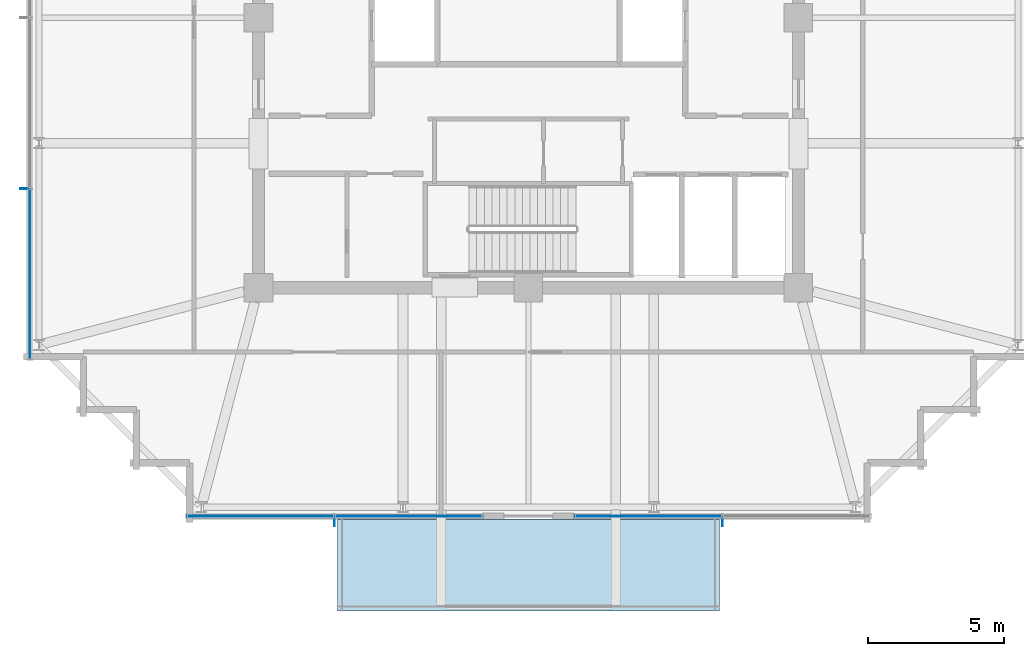
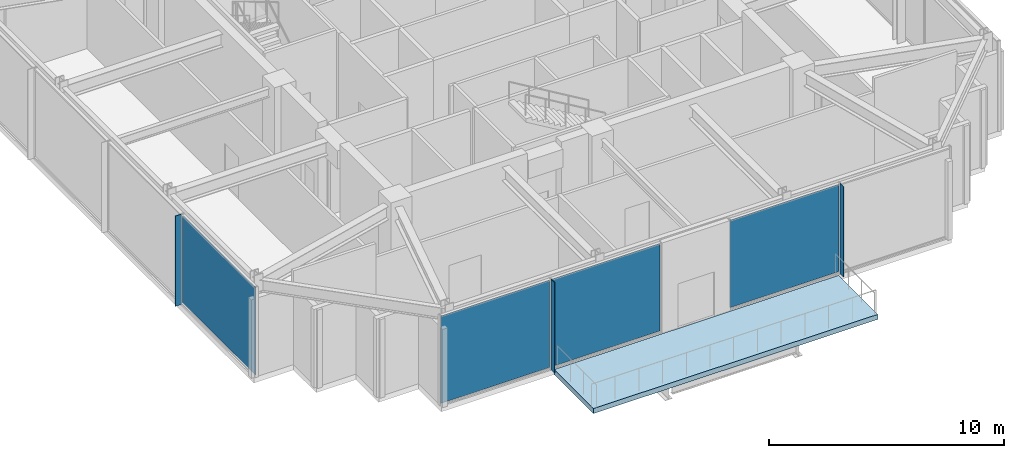
# One storey, part 21 of 31: 7 plates, 1 slab, 3 elements without a shape of their own.
"""IFC4 building model written with IfcOpenShell, lengths in metres."""

from ifc_helpers import new_model, si_unit, direction, frame, origin, origin_2d, place, context, subcontext, project, spatial, polyline, rectangle, outline, extrude, material, layer, layer_set, type_object, element, aggregate, save


model = new_model("IFC4")

# Units and contexts
model_context = context("Model", 3, precision=1e-05, world=origin(), true_north=direction((0.0, 1.0)))
body_context = subcontext(model_context, "Body", "Model", "MODEL_VIEW")
ifc_project = project(units=[si_unit("LENGTHUNIT", "METRE"), si_unit("AREAUNIT", "SQUARE_METRE"), si_unit("VOLUMEUNIT", "CUBIC_METRE"), si_unit("PLANEANGLEUNIT", "RADIAN"), si_unit("MASSUNIT", "GRAM", prefix="KILO")], contexts=[model_context])

# Site, building, storey
site_placement = place(None, origin())
site = spatial("IfcSite", under=ifc_project, at=site_placement, CompositionType="ELEMENT")
building_placement = place(site_placement, origin())
building = spatial("IfcBuilding", under=site, at=building_placement, Name="Kolvaren Belvedere", CompositionType="ELEMENT")
storey_placement = place(building_placement, frame((0.0, 0.0, 267.39990234375)))
storey = spatial("IfcBuildingStorey", under=building, at=storey_placement, Name="L77", CompositionType="ELEMENT", Elevation=267.39990234375)

# Curtain wall, plate
ifc_material_1 = material(Name="Anodised pale-metal aluminium AA 6063-T6", Category="aluminium")
curtain_wall_type = type_object("IfcCurtainWallType", Name="CW-CRN-OBS", PredefinedType="NOTDEFINED", material=ifc_material_1)
curtain_wall_1_placement = place(storey_placement, origin())
curtain_wall_1 = element("IfcCurtainWall", 1, at=curtain_wall_1_placement, inside=storey, type_object=curtain_wall_type, Name="L77 Unitised Curtain Wall FCW-L77-S1", PredefinedType="NOTDEFINED")
ifc_material_2 = material(Name="Low-iron laminated vision glass", Category="glass")
ifc_layer_1 = layer(ifc_material_2, 0.031982421875)
ifc_layer_set_1 = layer_set([ifc_layer_1], Name="Low-iron laminated vision glass")
plate_type_1 = type_object("IfcPlateType", Name="CW-PNL-VIS32", PredefinedType="CURTAIN_PANEL", material=ifc_layer_set_1)
plate_1_placement = place(storey_placement, frame((4.3974609375, -18.280029296875, 0.080078125), z_axis=(0.0, 0.0, 1.0), x_axis=(-1.0, 0.0, 0.0)))
plate_1 = element("IfcPlate", 2, at=plate_1_placement, type_object=plate_type_1, Name="FCW-L77-S1 Vision Glazing Panel 2", PredefinedType="CURTAIN_PANEL", context=body_context, shape_type="SweptSolid", body=[
    extrude(rectangle(XDim=5.35498046875, YDim=0.031982421875, at=origin_2d()), origin(), (0.0, 0.0, 1.0), 4.5400390625),
])
aggregate(curtain_wall_1, [plate_1])

# Curtain wall, plates
curtain_wall_2_placement = place(storey_placement, origin())
curtain_wall_2 = element("IfcCurtainWall", 3, at=curtain_wall_2_placement, inside=storey, type_object=curtain_wall_type, Name="L77 Unitised Curtain Wall FCW-L77-S2", PredefinedType="NOTDEFINED")
plate_2_placement = place(storey_placement, frame((-4.3974609375, -18.280029296875, 0.080078125), z_axis=(0.0, 0.0, 1.0), x_axis=(-1.0, 0.0, 0.0)))
plate_2 = element("IfcPlate", 4, at=plate_2_placement, type_object=plate_type_1, Name="FCW-L77-S2 Vision Glazing Panel 1", PredefinedType="CURTAIN_PANEL", context=body_context, shape_type="SweptSolid", body=[
    extrude(rectangle(XDim=5.35498046875, YDim=0.031982421875, at=origin_2d()), origin(), (0.0, 0.0, 1.0), 4.5400390625),
])
plate_3_placement = place(storey_placement, frame((-9.83251953125, -18.280029296875, 0.080078125), z_axis=(0.0, 0.0, 1.0), x_axis=(-1.0, 0.0, 0.0)))
plate_3 = element("IfcPlate", 5, at=plate_3_placement, type_object=plate_type_1, Name="FCW-L77-S2 Vision Glazing Panel 2", PredefinedType="CURTAIN_PANEL", context=body_context, shape_type="SweptSolid", body=[
    extrude(rectangle(XDim=5.35498046875, YDim=0.031982421875, at=origin_2d()), origin(), (0.0, 0.0, 1.0), 4.5400390625),
])
aggregate(curtain_wall_2, [plate_2, plate_3])

# Curtain wall, plate
curtain_wall_3_placement = place(storey_placement, origin())
curtain_wall_3 = element("IfcCurtainWall", 6, at=curtain_wall_3_placement, inside=storey, type_object=curtain_wall_type, Name="L77 Unitised Curtain Wall FCW-L77-W", PredefinedType="NOTDEFINED")
plate_4_placement = place(storey_placement, frame((-18.280029296875, -9.41259765625, 0.080078125), z_axis=(0.0, 0.0, 1.0), x_axis=(0.0, 1.0, 0.0)))
plate_4 = element("IfcPlate", 7, at=plate_4_placement, type_object=plate_type_1, Name="FCW-L77-W Vision Glazing Panel 1", PredefinedType="CURTAIN_PANEL", context=body_context, shape_type="SweptSolid", body=[
    extrude(rectangle(XDim=6.195068359375, YDim=0.031982421875, at=origin_2d()), origin(), (0.0, 0.0, 1.0), 4.5400390625),
])
aggregate(curtain_wall_3, [plate_4])

# Plates
ifc_material_3 = material(Name="Anodised pale-metal aluminium AA 6063-T6", Category="aluminium")
ifc_layer_2 = layer(ifc_material_3, 0.030029296875)
ifc_layer_set_2 = layer_set([ifc_layer_2], Name="Anodised pale-metal aluminium AA 6063-T6")
plate_type_2 = type_object("IfcPlateType", Name="FIN-VERT-300", PredefinedType="USERDEFINED", material=ifc_layer_set_2)
for number, where, z_axis, x_axis, name in (
    (8, (7.114990234375, -18.4951171875, 0.0), (0.0, 0.0, 1.0), (0.0, 1.0, 0.0), "L77 Pale-Metal Vertical Shading Fin FCW-L77-S1-1"),
    (9, (-7.114990234375, -18.4951171875, 0.0), (0.0, 0.0, 1.0), (0.0, 1.0, 0.0), "L77 Pale-Metal Vertical Shading Fin FCW-L77-S2-1"),
    (10, (-18.4951171875, -6.27490234375, 0.0), (0.0, 0.0, 1.0), (1.0, 0.0, 0.0), "L77 Pale-Metal Vertical Shading Fin FCW-L77-W-1"),
):
    element("IfcPlate", number, at=place(storey_placement, frame(where, z_axis=z_axis, x_axis=x_axis)), inside=storey, type_object=plate_type_2, Name=name, ObjectType="VERTICAL FIN", PredefinedType="USERDEFINED", context=body_context, shape_type="SweptSolid", body=[
        extrude(rectangle(XDim=0.300048828125, YDim=0.030029296875, at=origin_2d()), origin(), (0.0, 0.0, 1.0), 4.699951171875),
    ])

# Slab
ifc_material_4 = material(Name="Concrete C50/60", Category="concrete")
ifc_layer_3 = layer(ifc_material_4, 0.260009765625)
ifc_layer_set_3 = layer_set([ifc_layer_3], Name="Concrete C50/60")
slab_type = type_object("IfcSlabType", Name="SL-TERR-260", PredefinedType="FLOOR", material=ifc_layer_set_3)
slab_placement = place(storey_placement, frame((0.0, 0.0, -0.27978515625)))
element("IfcSlab", 11, at=slab_placement, inside=storey, type_object=slab_type, Name="L77 Planted Sky Terrace LOOKOUT-S", PredefinedType="FLOOR", context=body_context, shape_type="SweptSolid", body=[
    extrude(outline(polyline([(-7.0, -21.75), (7.0, -21.75), (7.0, -18.39990234375), (-7.0, -18.39990234375), (-7.0, -21.75)])), origin(), (0.0, 0.0, 1.0), 0.259765625),
])

save(model, "model.ifc")
